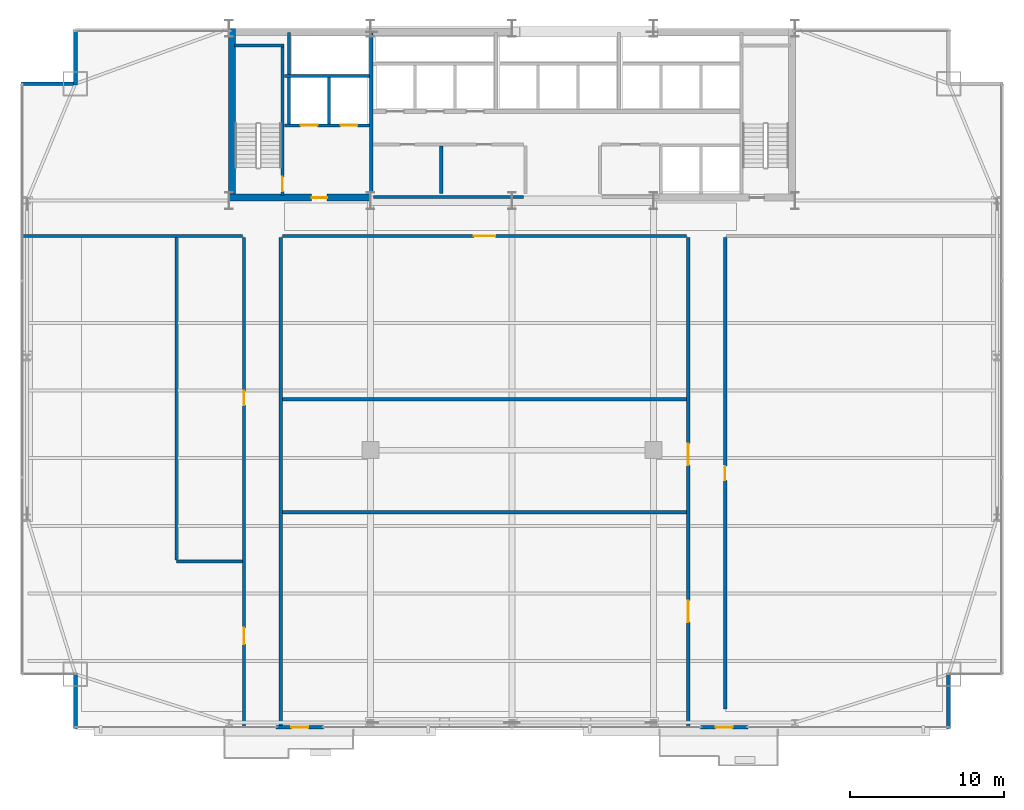
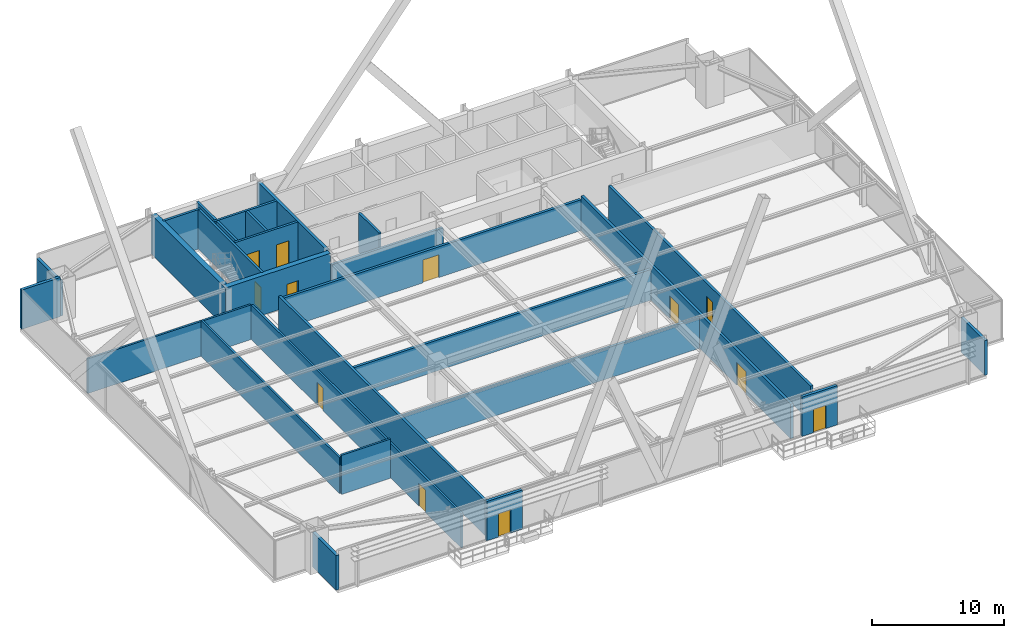
# One storey, part 28 of 32: 27 walls, 12 doors, 12 openings.
"""IFC4 building model written with IfcOpenShell, lengths in metres."""

from ifc_helpers import new_model, si_unit, direction, frame, frame_2d, origin, place, context, subcontext, project, spatial, rectangle, extrude, source, transform, mapped, material, layer, layer_set, type_object, type_shapes, element, fill, save


model = new_model("IFC4")

# Units and contexts
model_context = context("Model", 3, precision=1e-05, world=origin(), true_north=direction((0.0, 1.0)))
body_context = subcontext(model_context, "Body", "Model", "MODEL_VIEW")
ifc_project = project(units=[si_unit("LENGTHUNIT", "METRE"), si_unit("AREAUNIT", "SQUARE_METRE"), si_unit("VOLUMEUNIT", "CUBIC_METRE"), si_unit("PLANEANGLEUNIT", "RADIAN"), si_unit("MASSUNIT", "GRAM", prefix="KILO")], contexts=[model_context])

# Site, building, storey
site_placement = place(None, origin())
site = spatial("IfcSite", under=ifc_project, at=site_placement, CompositionType="ELEMENT")
building_placement = place(site_placement, origin())
building = spatial("IfcBuilding", under=site, at=building_placement, Name="Varnel Quay Broadcast Tower", CompositionType="ELEMENT")
storey_placement = place(building_placement, frame((0.0, 0.0, 58.800048828125)))
storey = spatial("IfcBuildingStorey", under=building, at=storey_placement, Name="L13", CompositionType="ELEMENT", Elevation=58.800048828125)

# Wall, opening, door
ifc_material_1 = material(Name="Concrete CSA A23.3 C50/60", Category="concrete")
ifc_layer_1 = layer(ifc_material_1, 0.199951171875, Name="Concrete CSA A23.3 C50/60")
ifc_layer_set_1 = layer_set([ifc_layer_1], Name="Concrete CSA A23.3 C50/60")
wall_type_1 = type_object("IfcWallType", Name="Wall_CoreShaftShear200", PredefinedType="SHEAR", material=ifc_layer_set_1)
wall_1_placement = place(storey_placement, frame((19.080078125, 35.949951171875, 0.0), z_axis=(0.0, 0.0, 1.0), x_axis=(0.0, 1.0, 0.0)))
wall_1 = element("IfcWall", 1, at=wall_1_placement, inside=storey, type_object=wall_type_1, Name="L13 Stair 1 East Structural Wall", PredefinedType="SHEAR", context=body_context, shape_type="SweptSolid", body=[
    extrude(rectangle(XDim=9.650146484375, YDim=0.199951171875, at=frame_2d((4.8251953125, 0.0))), origin(), (0.0, 0.0, 1.0), 3.64990234375),
])
opening_1_placement = place(wall_1_placement, frame((0.25, 0.0, 0.0)))
opening_1 = element("IfcOpeningElement", 2, at=opening_1_placement, cuts=wall_1, Name="Opening D-L13-S1", PredefinedType="OPENING", context=body_context, shape_type="SweptSolid", body=[
    extrude(rectangle(XDim=0.949951171875, YDim=2.10009765625, at=frame_2d((0.47509765625, 1.050048828125))), frame((0.0, 0.10986328125, 0.0), z_axis=(0.0, -1.0, 0.0), x_axis=(1.0, 0.0, 0.0)), (0.0, 0.0, 1.0), 0.219970703125),
])
ifc_material_2 = material(Name="Insulated Fire-Rated Hollow Steel Door", Category="steel")
door_type_1 = type_object("IfcDoorType", Name="Door_FireStair950", OperationType="NOTDEFINED", PredefinedType="DOOR", material=ifc_material_2)
shared_shape_1 = source(origin(), body_context, "Body", "SweptSolid", [
    extrude(rectangle(XDim=0.949951171875, YDim=2.10009765625, at=frame_2d((0.47509765625, 1.050048828125))), frame((0.0, 0.02490234375, 0.0), z_axis=(0.0, -1.0, 0.0), x_axis=(1.0, 0.0, 0.0)), (0.0, 0.0, 1.0), 0.050048828125),
])
type_shapes(door_type_1, [shared_shape_1])
door_1_placement = place(opening_1_placement, origin())
door_1 = element("IfcDoor", 3, at=door_1_placement, inside=storey, type_object=door_type_1, Name="L13 Stair 1 Fire Door", OperationType="SINGLE_SWING_RIGHT", OverallHeight=2.10009765625, OverallWidth=0.949951171875, PredefinedType="DOOR", context=body_context, shape_type="MappedRepresentation", body=[
    mapped(shared_shape_1, transform((0.0, 0.0, 0.0), x_axis=(1.0, 0.0, 0.0), y_axis=(0.0, 1.0, 0.0), z_axis=(0.0, 0.0, 1.0), scale=1.0)),
])
fill(opening_1, door_1)

# Wall
wall_2_placement = place(storey_placement, frame((15.949951171875, 45.679931640625, 0.0), z_axis=(0.0, 0.0, 1.0), x_axis=(1.0, 0.0, 0.0)))
element("IfcWall", 4, at=wall_2_placement, inside=storey, type_object=wall_type_1, Name="L13 Stair 1 North Structural Wall", PredefinedType="SHEAR", context=body_context, shape_type="SweptSolid", body=[
    extrude(rectangle(XDim=3.22998046875, YDim=0.199951171875, at=frame_2d((1.614990234375, 0.0))), origin(), (0.0, 0.0, 1.0), 3.64990234375),
])

# Wall, openings, doors
wall_3_placement = place(storey_placement, frame((19.199951171875, 40.5, 0.0), z_axis=(0.0, 0.0, 1.0), x_axis=(1.0, 0.0, 0.0)))
wall_3 = element("IfcWall", 5, at=wall_3_placement, inside=storey, type_object=wall_type_1, Name="L13 Firefighter Lift Shaft Front Wall", PredefinedType="SHEAR", context=body_context, shape_type="SweptSolid", body=[
    extrude(rectangle(XDim=5.52001953125, YDim=0.199951171875, at=frame_2d((2.760009765625, 0.0))), origin(), (0.0, 0.0, 1.0), 3.64990234375),
])
opening_2_placement = place(wall_3_placement, frame((1.050048828125, 0.0, 0.0)))
opening_2 = element("IfcOpeningElement", 6, at=opening_2_placement, cuts=wall_3, Name="Opening LD-L13-FE1", PredefinedType="OPENING", context=body_context, shape_type="SweptSolid", body=[
    extrude(rectangle(XDim=1.10009765625, YDim=2.179931640625, at=frame_2d((0.550048828125, 1.08984375))), frame((0.0, 0.10986328125, 0.0), z_axis=(0.0, -1.0, 0.0), x_axis=(1.0, 0.0, 0.0)), (0.0, 0.0, 1.0), 0.219970703125),
])
opening_3_placement = place(wall_3_placement, frame((3.64990234375, 0.0, 0.0)))
opening_3 = element("IfcOpeningElement", 7, at=opening_3_placement, cuts=wall_3, Name="Opening LD-L13-FE2", PredefinedType="OPENING", context=body_context, shape_type="SweptSolid", body=[
    extrude(rectangle(XDim=1.10009765625, YDim=2.179931640625, at=frame_2d((0.550048828125, 1.08984375))), frame((0.0, 0.10986328125, 0.0), z_axis=(0.0, -1.0, 0.0), x_axis=(1.0, 0.0, 0.0)), (0.0, 0.0, 1.0), 0.219970703125),
])
ifc_material_3 = material(Name="Brushed Bronze-Stainless Lift Car & Sliding Doors", Category="steel")
door_type_2 = type_object("IfcDoorType", Name="Door_LiftLanding1100", OperationType="SLIDING_TO_LEFT", PredefinedType="DOOR", material=ifc_material_3)
shared_shape_2 = source(origin(), body_context, "Body", "SweptSolid", [
    extrude(rectangle(XDim=1.10009765625, YDim=2.179931640625, at=frame_2d((0.550048828125, 1.08984375))), frame((0.0, 0.02490234375, 0.0), z_axis=(0.0, -1.0, 0.0), x_axis=(1.0, 0.0, 0.0)), (0.0, 0.0, 1.0), 0.050048828125),
])
type_shapes(door_type_2, [shared_shape_2])
door_2_placement = place(opening_2_placement, frame((1.10009765625, 0.0, 0.0), z_axis=(0.0, 0.0, 1.0), x_axis=(-1.0, 0.0, 0.0)))
door_2 = element("IfcDoor", 8, at=door_2_placement, inside=storey, type_object=door_type_2, Name="L13 Firefighter Lift FE-01 Landing Door", OperationType="SLIDING_TO_LEFT", OverallHeight=2.179931640625, OverallWidth=1.10009765625, PredefinedType="DOOR", context=body_context, shape_type="MappedRepresentation", body=[
    mapped(shared_shape_2, transform((0.0, 0.0, 0.0), x_axis=(1.0, 0.0, 0.0), y_axis=(0.0, 1.0, 0.0), z_axis=(0.0, 0.0, 1.0), scale=1.0)),
])
fill(opening_2, door_2)
door_3_placement = place(opening_3_placement, frame((1.10009765625, 0.0, 0.0), z_axis=(0.0, 0.0, 1.0), x_axis=(-1.0, 0.0, 0.0)))
door_3 = element("IfcDoor", 9, at=door_3_placement, inside=storey, type_object=door_type_2, Name="L13 Firefighter Lift FE-02 Landing Door", OperationType="SLIDING_TO_RIGHT", OverallHeight=2.179931640625, OverallWidth=1.10009765625, PredefinedType="DOOR", context=body_context, shape_type="MappedRepresentation", body=[
    mapped(shared_shape_2, transform((0.0, 0.0, 0.0), x_axis=(1.0, 0.0, 0.0), y_axis=(0.0, 1.0, 0.0), z_axis=(0.0, 0.0, 1.0), scale=1.0)),
])
fill(opening_3, door_3)

# Walls
wall_4_placement = place(storey_placement, frame((19.199951171875, 43.699951171875, 0.0), z_axis=(0.0, 0.0, 1.0), x_axis=(1.0, 0.0, 0.0)))
element("IfcWall", 10, at=wall_4_placement, inside=storey, type_object=wall_type_1, Name="L13 Firefighter Lift Shaft Rear Wall", PredefinedType="SHEAR", context=body_context, shape_type="SweptSolid", body=[
    extrude(rectangle(XDim=5.52001953125, YDim=0.199951171875, at=frame_2d((2.760009765625, 0.0))), origin(), (0.0, 0.0, 1.0), 3.64990234375),
])
wall_5_placement = place(storey_placement, frame((22.10009765625, 40.60009765625, 0.0), z_axis=(0.0, 0.0, 1.0), x_axis=(0.0, 1.0, 0.0)))
element("IfcWall", 11, at=wall_5_placement, inside=storey, type_object=wall_type_1, Name="L13 Firefighter Lift Shaft Divider", PredefinedType="SHEAR", context=body_context, shape_type="SweptSolid", body=[
    extrude(rectangle(XDim=3.0, YDim=0.199951171875, at=frame_2d((1.5, 0.0))), origin(), (0.0, 0.0, 1.0), 3.64990234375),
])
wall_6_placement = place(storey_placement, frame((19.5, 40.60009765625, 0.0), z_axis=(0.0, 0.0, 1.0), x_axis=(0.0, 1.0, 0.0)))
element("IfcWall", 12, at=wall_6_placement, inside=storey, type_object=wall_type_1, Name="L13 Firefighter Lift Shaft West Wall", PredefinedType="SHEAR", context=body_context, shape_type="SweptSolid", body=[
    extrude(rectangle(XDim=5.949951171875, YDim=0.199951171875, at=frame_2d((2.97509765625, 0.0))), origin(), (0.0, 0.0, 1.0), 3.64990234375),
])
ifc_layer_2 = layer(ifc_material_1, 0.25, Name="Concrete CSA A23.3 C50/60")
ifc_layer_set_2 = layer_set([ifc_layer_2], Name="Concrete CSA A23.3 C50/60")
wall_type_2 = type_object("IfcWallType", Name="Wall_CoreShaftShear250", PredefinedType="SHEAR", material=ifc_layer_set_2)
wall_7_placement = place(storey_placement, frame((24.85009765625, 36.050048828125, 0.0), z_axis=(0.0, 0.0, 1.0), x_axis=(0.0, 1.0, 0.0)))
element("IfcWall", 13, at=wall_7_placement, inside=storey, type_object=wall_type_2, Name="L13 Firefighting Lobby East Structural Wall", PredefinedType="SHEAR", context=body_context, shape_type="SweptSolid", body=[
    extrude(rectangle(XDim=10.449951171875, YDim=0.25, at=frame_2d((5.22509765625, 0.0))), origin(), (0.0, 0.0, 1.0), 3.64990234375),
])
ifc_material_4 = material(Name="Concrete CSA A23.3 C60/75", Category="concrete")
ifc_layer_3 = layer(ifc_material_4, 0.449951171875, Name="Concrete CSA A23.3 C60/75")
ifc_layer_set_3 = layer_set([ifc_layer_3], Name="Concrete CSA A23.3 C60/75")
wall_type_3 = type_object("IfcWallType", Name="Wall_CoreShearInt450", PredefinedType="SHEAR", material=ifc_layer_set_3)
wall_8_placement = place(storey_placement, frame((15.794921875, 35.570068359375, 0.0), z_axis=(0.0, 0.0, 1.0), x_axis=(0.0, 1.0, 0.0)))
element("IfcWall", 14, at=wall_8_placement, inside=storey, type_object=wall_type_3, Name="L13 West Core Shear Wall", PredefinedType="SHEAR", context=body_context, shape_type="SweptSolid", body=[
    extrude(rectangle(XDim=11.22998046875, YDim=0.449951171875, at=frame_2d((5.614990234375, 0.0))), origin(), (0.0, 0.0, 1.0), 3.64990234375),
])

# Wall, opening, door
wall_9_placement = place(storey_placement, frame((15.570068359375, 35.794921875, 0.0), z_axis=(0.0, 0.0, 1.0), x_axis=(1.0, 0.0, 0.0)))
wall_9 = element("IfcWall", 15, at=wall_9_placement, inside=storey, type_object=wall_type_3, Name="L13 South-West Core Shear Wall", PredefinedType="SHEAR", context=body_context, shape_type="SweptSolid", body=[
    extrude(rectangle(XDim=9.22998046875, YDim=0.449951171875, at=frame_2d((4.614990234375, 0.0))), origin(), (0.0, 0.0, 1.0), 3.64990234375),
])
opening_4_placement = place(wall_9_placement, frame((5.39990234375, 0.0, 0.0)))
opening_4 = element("IfcOpeningElement", 16, at=opening_4_placement, cuts=wall_9, Name="Opening D-L13-FFL", PredefinedType="OPENING", context=body_context, shape_type="SweptSolid", body=[
    extrude(rectangle(XDim=1.0, YDim=2.10009765625, at=frame_2d((0.5, 1.050048828125))), frame((0.0, 0.23486328125, 0.0), z_axis=(0.0, -1.0, 0.0), x_axis=(1.0, 0.0, 0.0)), (0.0, 0.0, 1.0), 0.469970703125),
])
door_type_3 = type_object("IfcDoorType", Name="Door_FireLobby1000", OperationType="NOTDEFINED", PredefinedType="DOOR", material=ifc_material_2)
shared_shape_3 = source(origin(), body_context, "Body", "SweptSolid", [
    extrude(rectangle(XDim=1.0, YDim=2.10009765625, at=frame_2d((0.5, 1.050048828125))), frame((0.0, 0.02490234375, 0.0), z_axis=(0.0, -1.0, 0.0), x_axis=(1.0, 0.0, 0.0)), (0.0, 0.0, 1.0), 0.050048828125),
])
type_shapes(door_type_3, [shared_shape_3])
door_4_placement = place(opening_4_placement, origin())
door_4 = element("IfcDoor", 17, at=door_4_placement, inside=storey, type_object=door_type_3, Name="L13 Firefighting Lobby Door", OperationType="SINGLE_SWING_LEFT", OverallHeight=2.10009765625, OverallWidth=1.0, PredefinedType="DOOR", context=body_context, shape_type="MappedRepresentation", body=[
    mapped(shared_shape_3, transform((0.0, 0.0, 0.0), x_axis=(1.0, 0.0, 0.0), y_axis=(0.0, 1.0, 0.0), z_axis=(0.0, 0.0, 1.0), scale=1.0)),
])
fill(opening_4, door_4)

ifc_material_5 = material(Name="Precast Architectural Concrete C40/50", Category="concrete")
ifc_layer_4 = layer(ifc_material_5, 0.25, Name="Precast Architectural Concrete C40/50")
ifc_layer_set_4 = layer_set([ifc_layer_4], Name="Precast Architectural Concrete C40/50")
wall_type_4 = type_object("IfcWallType", Name="Wall_ExtTerrace250", PredefinedType="SOLIDWALL", material=ifc_layer_set_4)
wall_10_placement = place(storey_placement, frame((18.64990234375, 1.35009765625, 0.0), z_axis=(0.0, 0.0, 1.0), x_axis=(1.0, 0.0, 0.0)))
wall_10 = element("IfcWall", 18, at=wall_10_placement, inside=storey, type_object=wall_type_4, Name="L13 Terrace Access Wall 1", PredefinedType="SOLIDWALL", context=body_context, shape_type="SweptSolid", body=[
    extrude(rectangle(XDim=3.10009765625, YDim=0.25, at=frame_2d((1.550048828125, 0.0))), origin(), (0.0, 0.0, 1.0), 3.6298828125),
])
opening_5_placement = place(wall_10_placement, frame((1.0, 0.0, 0.0)))
opening_5 = element("IfcOpeningElement", 19, at=opening_5_placement, cuts=wall_10, Name="Opening TD-131", PredefinedType="OPENING", context=body_context, shape_type="SweptSolid", body=[
    extrude(rectangle(XDim=1.10009765625, YDim=2.14990234375, at=frame_2d((0.550048828125, 1.074951171875))), frame((0.0, 0.135009765625, 0.0), z_axis=(0.0, -1.0, 0.0), x_axis=(1.0, 0.0, 0.0)), (0.0, 0.0, 1.0), 0.27001953125),
])
ifc_material_6 = material(Name="Anodised Bronze Aluminium 6063-T6", Category="aluminium")
door_type_4 = type_object("IfcDoorType", Name="Door_ExtTerrace1100", OperationType="NOTDEFINED", PredefinedType="DOOR", material=ifc_material_6)
shared_shape_4 = source(origin(), body_context, "Body", "SweptSolid", [
    extrude(rectangle(XDim=1.10009765625, YDim=2.14990234375, at=frame_2d((0.550048828125, 1.074951171875))), frame((0.0, 0.02490234375, 0.0), z_axis=(0.0, -1.0, 0.0), x_axis=(1.0, 0.0, 0.0)), (0.0, 0.0, 1.0), 0.050048828125),
])
type_shapes(door_type_4, [shared_shape_4])
door_5_placement = place(opening_5_placement, frame((1.10009765625, 0.0, 0.0), z_axis=(0.0, 0.0, 1.0), x_axis=(-1.0, 0.0, 0.0)))
door_5 = element("IfcDoor", 20, at=door_5_placement, inside=storey, type_object=door_type_4, Name="L13 Terrace Door TD-131", OperationType="SINGLE_SWING_LEFT", OverallHeight=2.14990234375, OverallWidth=1.10009765625, PredefinedType="DOOR", context=body_context, shape_type="MappedRepresentation", body=[
    mapped(shared_shape_4, transform((0.0, 0.0, 0.0), x_axis=(1.0, 0.0, 0.0), y_axis=(0.0, 1.0, 0.0), z_axis=(0.0, 0.0, 1.0), scale=1.0)),
])
fill(opening_5, door_5)

wall_11_placement = place(storey_placement, frame((46.25, 1.35009765625, 0.0), z_axis=(0.0, 0.0, 1.0), x_axis=(1.0, 0.0, 0.0)))
wall_11 = element("IfcWall", 21, at=wall_11_placement, inside=storey, type_object=wall_type_4, Name="L13 Terrace Access Wall 2", PredefinedType="SOLIDWALL", context=body_context, shape_type="SweptSolid", body=[
    extrude(rectangle(XDim=3.10009765625, YDim=0.25, at=frame_2d((1.550048828125, 0.0))), origin(), (0.0, 0.0, 1.0), 3.6298828125),
])
opening_6_placement = place(wall_11_placement, frame((1.0, 0.0, 0.0)))
opening_6 = element("IfcOpeningElement", 22, at=opening_6_placement, cuts=wall_11, Name="Opening TD-132", PredefinedType="OPENING", context=body_context, shape_type="SweptSolid", body=[
    extrude(rectangle(XDim=1.10009765625, YDim=2.14990234375, at=frame_2d((0.550048828125, 1.074951171875))), frame((0.0, 0.135009765625, 0.0), z_axis=(0.0, -1.0, 0.0), x_axis=(1.0, 0.0, 0.0)), (0.0, 0.0, 1.0), 0.27001953125),
])
door_6_placement = place(opening_6_placement, frame((1.10009765625, 0.0, 0.0), z_axis=(0.0, 0.0, 1.0), x_axis=(-1.0, 0.0, 0.0)))
door_6 = element("IfcDoor", 23, at=door_6_placement, inside=storey, type_object=door_type_4, Name="L13 Terrace Door TD-132", OperationType="SINGLE_SWING_RIGHT", OverallHeight=2.14990234375, OverallWidth=1.10009765625, PredefinedType="DOOR", context=body_context, shape_type="MappedRepresentation", body=[
    mapped(shared_shape_4, transform((0.0, 0.0, 0.0), x_axis=(1.0, 0.0, 0.0), y_axis=(0.0, 1.0, 0.0), z_axis=(0.0, 0.0, 1.0), scale=1.0)),
])
fill(opening_6, door_6)

# Walls
for number, where, z_axis, x_axis, name in (
    (24, (5.60009765625, 1.280029296875, 0.0), (0.0, 0.0, 1.0), (0.0, 1.0, 0.0), "L13 Mega-Column Notch Cladding Wall NSW2"),
    (25, (62.39990234375, 1.280029296875, 0.0), (0.0, 0.0, 1.0), (0.0, 1.0, 0.0), "L13 Mega-Column Notch Cladding Wall NSE2"),
):
    element("IfcWall", number, at=place(storey_placement, frame(where, z_axis=z_axis, x_axis=x_axis)), inside=storey, type_object=wall_type_4, Name=name, PredefinedType="SOLIDWALL", context=body_context, shape_type="SweptSolid", body=[
        extrude(rectangle(XDim=3.599853515625, YDim=0.25, at=frame_2d((1.7998046875, 0.0))), origin(), (0.0, 0.0, 1.0), 3.2080078125),
    ])
wall_12_placement = place(storey_placement, frame((2.080078125, 43.199951171875, 0.0), z_axis=(0.0, 0.0, 1.0), x_axis=(1.0, 0.0, 0.0)))
element("IfcWall", 26, at=wall_12_placement, inside=storey, type_object=wall_type_4, Name="L13 Mega-Column Notch Cladding Wall NNW1", PredefinedType="SOLIDWALL", context=body_context, shape_type="SweptSolid", body=[
    extrude(rectangle(XDim=3.389892578125, YDim=0.25, at=frame_2d((1.69482421875, 0.0))), origin(), (0.0, 0.0, 1.0), 3.6298828125),
])
wall_13_placement = place(storey_placement, frame((5.60009765625, 43.1201171875, 0.0), z_axis=(0.0, 0.0, 1.0), x_axis=(0.0, 1.0, 0.0)))
element("IfcWall", 27, at=wall_13_placement, inside=storey, type_object=wall_type_4, Name="L13 Mega-Column Notch Cladding Wall NNW2", PredefinedType="SOLIDWALL", context=body_context, shape_type="SweptSolid", body=[
    extrude(rectangle(XDim=3.599853515625, YDim=0.25, at=frame_2d((1.7998046875, 0.0))), origin(), (0.0, 0.0, 1.0), 3.2080078125),
])

# Wall, openings, doors
ifc_material_7 = material(Name="Steel-Stud Fire-Rated Acoustic Gypsum Partition Assembly", Category="steel")
ifc_layer_5 = layer(ifc_material_7, 0.175048828125, Name="Steel-Stud Fire-Rated Acoustic Gypsum Partition Assembly")
ifc_layer_set_5 = layer_set([ifc_layer_5], Name="Steel-Stud Fire-Rated Acoustic Gypsum Partition Assembly")
wall_type_5 = type_object("IfcWallType", Name="Wall_Partition175", PredefinedType="PARTITIONING", material=ifc_layer_set_5)
wall_14_placement = place(storey_placement, frame((16.570068359375, 1.3798828125, 0.0), z_axis=(0.0, 0.0, 1.0), x_axis=(0.0, 1.0, 0.0)))
wall_14 = element("IfcWall", 28, at=wall_14_placement, inside=storey, type_object=wall_type_5, Name="L13 Broadcast Seminar Room 1 Partition 8", PredefinedType="PARTITIONING", context=body_context, shape_type="SweptSolid", body=[
    extrude(rectangle(XDim=31.83203125, YDim=0.175048828125, at=frame_2d((15.916015625, 0.0))), origin(), (0.0, 0.0, 1.0), 3.2080078125),
])
opening_7_placement = place(wall_14_placement, frame((5.3798828125, 0.0, 0.0)))
opening_7 = element("IfcOpeningElement", 29, at=opening_7_placement, cuts=wall_14, Name="Opening D-L13-04", PredefinedType="OPENING", context=body_context, shape_type="SweptSolid", body=[
    extrude(rectangle(XDim=1.050048828125, YDim=2.10009765625, at=frame_2d((0.52490234375, 1.050048828125))), frame((0.0, 0.09765625, 0.0), z_axis=(0.0, -1.0, 0.0), x_axis=(1.0, 0.0, 0.0)), (0.0, 0.0, 1.0), 0.195068359375),
])
opening_8_placement = place(wall_14_placement, frame((20.925048828125, 0.0, 0.0)))
opening_8 = element("IfcOpeningElement", 30, at=opening_8_placement, cuts=wall_14, Name="Opening D-L13-05", PredefinedType="OPENING", context=body_context, shape_type="SweptSolid", body=[
    extrude(rectangle(XDim=0.919921875, YDim=2.080078125, at=frame_2d((0.4599609375, 1.0400390625))), frame((0.0, 0.09765625, 0.0), z_axis=(0.0, -1.0, 0.0), x_axis=(1.0, 0.0, 0.0)), (0.0, 0.0, 1.0), 0.195068359375),
])
ifc_material_8 = material(Name="Solid-Core Fire-Rated Acoustic Oak Veneer Door", Category="wood")
door_type_5 = type_object("IfcDoorType", Name="Door_Office920", OperationType="NOTDEFINED", PredefinedType="DOOR", material=ifc_material_8)
shared_shape_5 = source(origin(), body_context, "Body", "SweptSolid", [
    extrude(rectangle(XDim=0.919921875, YDim=2.080078125, at=frame_2d((0.4599609375, 1.0400390625))), frame((0.0, 0.02490234375, 0.0), z_axis=(0.0, -1.0, 0.0), x_axis=(1.0, 0.0, 0.0)), (0.0, 0.0, 1.0), 0.050048828125),
])
type_shapes(door_type_5, [shared_shape_5])
door_7_placement = place(opening_8_placement, origin())
door_7 = element("IfcDoor", 31, at=door_7_placement, inside=storey, type_object=door_type_5, Name="L13 Audio Control Room 2 Door D-L13-05", OperationType="SINGLE_SWING_LEFT", OverallHeight=2.080078125, OverallWidth=0.919921875, PredefinedType="DOOR", context=body_context, shape_type="MappedRepresentation", body=[
    mapped(shared_shape_5, transform((0.0, 0.0, 0.0), x_axis=(1.0, 0.0, 0.0), y_axis=(0.0, 1.0, 0.0), z_axis=(0.0, 0.0, 1.0), scale=1.0)),
])
fill(opening_8, door_7)
door_type_6 = type_object("IfcDoorType", Name="Door_Meeting1050", OperationType="NOTDEFINED", PredefinedType="DOOR", material=ifc_material_8)
shared_shape_6 = source(origin(), body_context, "Body", "SweptSolid", [
    extrude(rectangle(XDim=1.050048828125, YDim=2.10009765625, at=frame_2d((0.52490234375, 1.050048828125))), frame((0.0, 0.02490234375, 0.0), z_axis=(0.0, -1.0, 0.0), x_axis=(1.0, 0.0, 0.0)), (0.0, 0.0, 1.0), 0.050048828125),
])
type_shapes(door_type_6, [shared_shape_6])
door_8_placement = place(opening_7_placement, origin())
door_8 = element("IfcDoor", 32, at=door_8_placement, inside=storey, type_object=door_type_6, Name="L13 Broadcast Seminar Room 1 Door D-L13-04", OperationType="SINGLE_SWING_RIGHT", OverallHeight=2.10009765625, OverallWidth=1.050048828125, PredefinedType="DOOR", context=body_context, shape_type="MappedRepresentation", body=[
    mapped(shared_shape_6, transform((0.0, 0.0, 0.0), x_axis=(1.0, 0.0, 0.0), y_axis=(0.0, 1.0, 0.0), z_axis=(0.0, 0.0, 1.0), scale=1.0)),
])
fill(opening_7, door_8)

# Walls
wall_15_placement = place(storey_placement, frame((12.169921875, 12.1298828125, 0.0), z_axis=(0.0, 0.0, 1.0), x_axis=(1.0, 0.0, 0.0)))
element("IfcWall", 33, at=wall_15_placement, inside=storey, type_object=wall_type_5, Name="L13 Broadcast Seminar Room 1 Partition 9", PredefinedType="PARTITIONING", context=body_context, shape_type="SweptSolid", body=[
    extrude(rectangle(XDim=4.300048828125, YDim=0.175048828125, at=frame_2d((2.14990234375, 0.0))), origin(), (0.0, 0.0, 1.0), 3.6298828125),
])
wall_16_placement = place(storey_placement, frame((12.169921875, 12.218017578125, 0.0), z_axis=(0.0, 0.0, 1.0), x_axis=(0.0, 1.0, 0.0)))
element("IfcWall", 34, at=wall_16_placement, inside=storey, type_object=wall_type_5, Name="L13 Broadcast Seminar Room 1 Partition 10", PredefinedType="PARTITIONING", context=body_context, shape_type="SweptSolid", body=[
    extrude(rectangle(XDim=20.993896484375, YDim=0.175048828125, at=frame_2d((10.4970703125, 0.0))), origin(), (0.0, 0.0, 1.0), 3.322021484375),
])
wall_17_placement = place(storey_placement, frame((2.179931640625, 33.300048828125, 0.0), z_axis=(0.0, 0.0, 1.0), x_axis=(1.0, 0.0, 0.0)))
element("IfcWall", 35, at=wall_17_placement, inside=storey, type_object=wall_type_5, Name="L13 Broadcast Seminar Room 1 Partition 11", PredefinedType="PARTITIONING", context=body_context, shape_type="SweptSolid", body=[
    extrude(rectangle(XDim=14.2900390625, YDim=0.175048828125, at=frame_2d((7.14501953125, 0.0))), origin(), (0.0, 0.0, 1.0), 3.2080078125),
])

# Wall, openings, doors
ifc_layer_6 = layer(ifc_material_7, 0.22509765625, Name="Steel-Stud Fire-Rated Acoustic Gypsum Partition Assembly")
ifc_layer_set_6 = layer_set([ifc_layer_6], Name="Steel-Stud Fire-Rated Acoustic Gypsum Partition Assembly")
wall_type_6 = type_object("IfcWallType", Name="Wall_Partition225", PredefinedType="PARTITIONING", material=ifc_layer_set_6)
wall_18_placement = place(storey_placement, frame((45.4599609375, 1.3798828125, 0.0), z_axis=(0.0, 0.0, 1.0), x_axis=(0.0, 1.0, 0.0)))
wall_18 = element("IfcWall", 36, at=wall_18_placement, inside=storey, type_object=wall_type_6, Name="L13 Podcast Recording Studio 3 Partition 12", PredefinedType="PARTITIONING", context=body_context, shape_type="SweptSolid", body=[
    extrude(rectangle(XDim=31.80810546875, YDim=0.22509765625, at=frame_2d((15.904052734375, 0.0))), origin(), (0.0, 0.0, 1.0), 3.2080078125),
])
opening_9_placement = place(wall_18_placement, frame((6.800048828125, 0.0, 0.0)))
opening_9 = element("IfcOpeningElement", 37, at=opening_9_placement, cuts=wall_18, Name="Opening D-L13-06", PredefinedType="OPENING", context=body_context, shape_type="SweptSolid", body=[
    extrude(rectangle(XDim=1.39990234375, YDim=2.1201171875, at=frame_2d((0.699951171875, 1.06005859375))), frame((0.0, 0.12255859375, 0.0), z_axis=(0.0, -1.0, 0.0), x_axis=(1.0, 0.0, 0.0)), (0.0, 0.0, 1.0), 0.2451171875),
])
opening_10_placement = place(wall_18_placement, frame((17.014892578125, 0.0, 0.0)))
opening_10 = element("IfcOpeningElement", 38, at=opening_10_placement, cuts=wall_18, Name="Opening D-L13-07", PredefinedType="OPENING", context=body_context, shape_type="SweptSolid", body=[
    extrude(rectangle(XDim=1.39990234375, YDim=2.1201171875, at=frame_2d((0.699951171875, 1.06005859375))), frame((0.0, 0.12255859375, 0.0), z_axis=(0.0, -1.0, 0.0), x_axis=(1.0, 0.0, 0.0)), (0.0, 0.0, 1.0), 0.2451171875),
])
door_type_7 = type_object("IfcDoorType", Name="Door_Gallery1400", OperationType="DOUBLE_DOOR_SINGLE_SWING", PredefinedType="DOOR", material=ifc_material_8)
shared_shape_7 = source(origin(), body_context, "Body", "SweptSolid", [
    extrude(rectangle(XDim=1.39990234375, YDim=2.1201171875, at=frame_2d((0.699951171875, 1.06005859375))), frame((0.0, 0.02490234375, 0.0), z_axis=(0.0, -1.0, 0.0), x_axis=(1.0, 0.0, 0.0)), (0.0, 0.0, 1.0), 0.050048828125),
])
type_shapes(door_type_7, [shared_shape_7])
door_9_placement = place(opening_9_placement, origin())
door_9 = element("IfcDoor", 39, at=door_9_placement, inside=storey, type_object=door_type_7, Name="L13 Podcast Recording Studio 3 Door D-L13-06", OperationType="DOUBLE_DOOR_SINGLE_SWING", OverallHeight=2.1201171875, OverallWidth=1.39990234375, PredefinedType="DOOR", context=body_context, shape_type="MappedRepresentation", body=[
    mapped(shared_shape_7, transform((0.0, 0.0, 0.0), x_axis=(1.0, 0.0, 0.0), y_axis=(0.0, 1.0, 0.0), z_axis=(0.0, 0.0, 1.0), scale=1.0)),
])
fill(opening_9, door_9)
door_10_placement = place(opening_10_placement, origin())
door_10 = element("IfcDoor", 40, at=door_10_placement, inside=storey, type_object=door_type_7, Name="L13 Foley Sound Studio 4 Door D-L13-07", OperationType="DOUBLE_DOOR_SINGLE_SWING", OverallHeight=2.1201171875, OverallWidth=1.39990234375, PredefinedType="DOOR", context=body_context, shape_type="MappedRepresentation", body=[
    mapped(shared_shape_7, transform((0.0, 0.0, 0.0), x_axis=(1.0, 0.0, 0.0), y_axis=(0.0, 1.0, 0.0), z_axis=(0.0, 0.0, 1.0), scale=1.0)),
])
fill(opening_10, door_10)

# Walls
wall_19_placement = place(storey_placement, frame((19.070068359375, 15.320068359375, 0.0), z_axis=(0.0, 0.0, 1.0), x_axis=(1.0, 0.0, 0.0)))
element("IfcWall", 41, at=wall_19_placement, inside=storey, type_object=wall_type_6, Name="L13 Podcast Recording Studio 3 Partition 13", PredefinedType="PARTITIONING", context=body_context, shape_type="SweptSolid", body=[
    extrude(rectangle(XDim=26.2900390625, YDim=0.22509765625, at=frame_2d((13.14501953125, 0.0))), origin(), (0.0, 0.0, 1.0), 2.85205078125),
])
wall_20_placement = place(storey_placement, frame((18.969970703125, 1.3798828125, 0.0), z_axis=(0.0, 0.0, 1.0), x_axis=(0.0, 1.0, 0.0)))
element("IfcWall", 42, at=wall_20_placement, inside=storey, type_object=wall_type_6, Name="L13 Podcast Recording Studio 3 Partition 14", PredefinedType="PARTITIONING", context=body_context, shape_type="SweptSolid", body=[
    extrude(rectangle(XDim=31.80810546875, YDim=0.22509765625, at=frame_2d((15.904052734375, 0.0))), origin(), (0.0, 0.0, 1.0), 3.2080078125),
])
wall_21_placement = place(storey_placement, frame((19.070068359375, 22.669921875, 0.0), z_axis=(0.0, 0.0, 1.0), x_axis=(1.0, 0.0, 0.0)))
element("IfcWall", 43, at=wall_21_placement, inside=storey, type_object=wall_type_6, Name="L13 Foley Sound Studio 4 Partition 15", PredefinedType="PARTITIONING", context=body_context, shape_type="SweptSolid", body=[
    extrude(rectangle(XDim=26.2900390625, YDim=0.22509765625, at=frame_2d((13.14501953125, 0.0))), origin(), (0.0, 0.0, 1.0), 2.85205078125),
])

# Wall, opening, door
wall_22_placement = place(storey_placement, frame((19.070068359375, 33.300048828125, 0.0), z_axis=(0.0, 0.0, 1.0), x_axis=(1.0, 0.0, 0.0)))
wall_22 = element("IfcWall", 44, at=wall_22_placement, inside=storey, type_object=wall_type_6, Name="L13 Voice Booth 5 Partition 16", PredefinedType="PARTITIONING", context=body_context, shape_type="SweptSolid", body=[
    extrude(rectangle(XDim=26.2900390625, YDim=0.22509765625, at=frame_2d((13.14501953125, 0.0))), origin(), (0.0, 0.0, 1.0), 2.85205078125),
])
opening_11_placement = place(wall_22_placement, frame((12.445068359375, 0.0, 0.0)))
opening_11 = element("IfcOpeningElement", 45, at=opening_11_placement, cuts=wall_22, Name="Opening D-L13-08", PredefinedType="OPENING", context=body_context, shape_type="SweptSolid", body=[
    extrude(rectangle(XDim=1.39990234375, YDim=2.1201171875, at=frame_2d((0.699951171875, 1.06005859375))), frame((0.0, 0.12255859375, 0.0), z_axis=(0.0, -1.0, 0.0), x_axis=(1.0, 0.0, 0.0)), (0.0, 0.0, 1.0), 0.2451171875),
])
door_11_placement = place(opening_11_placement, frame((1.39990234375, 0.0, 0.0), z_axis=(0.0, 0.0, 1.0), x_axis=(-1.0, 0.0, 0.0)))
door_11 = element("IfcDoor", 46, at=door_11_placement, inside=storey, type_object=door_type_7, Name="L13 Voice Booth 5 Door D-L13-08", OperationType="DOUBLE_DOOR_SINGLE_SWING", OverallHeight=2.1201171875, OverallWidth=1.39990234375, PredefinedType="DOOR", context=body_context, shape_type="MappedRepresentation", body=[
    mapped(shared_shape_7, transform((0.0, 0.0, 0.0), x_axis=(1.0, 0.0, 0.0), y_axis=(0.0, 1.0, 0.0), z_axis=(0.0, 0.0, 1.0), scale=1.0)),
])
fill(opening_11, door_11)

wall_23_placement = place(storey_placement, frame((47.860107421875, 2.550048828125, 0.0), z_axis=(0.0, 0.0, 1.0), x_axis=(0.0, 1.0, 0.0)))
wall_23 = element("IfcWall", 47, at=wall_23_placement, inside=storey, type_object=wall_type_6, Name="L13 Audio Control Room 6 Partition 18", PredefinedType="PARTITIONING", context=body_context, shape_type="SweptSolid", body=[
    extrude(rectangle(XDim=30.637939453125, YDim=0.22509765625, at=frame_2d((15.31884765625, 0.0))), origin(), (0.0, 0.0, 1.0), 3.322021484375),
])
opening_12_placement = place(wall_23_placement, frame((14.85888671875, 0.0, 0.0)))
opening_12 = element("IfcOpeningElement", 48, at=opening_12_placement, cuts=wall_23, Name="Opening D-L13-09", PredefinedType="OPENING", context=body_context, shape_type="SweptSolid", body=[
    extrude(rectangle(XDim=0.919921875, YDim=2.080078125, at=frame_2d((0.4599609375, 1.0400390625))), frame((0.0, 0.12255859375, 0.0), z_axis=(0.0, -1.0, 0.0), x_axis=(1.0, 0.0, 0.0)), (0.0, 0.0, 1.0), 0.2451171875),
])
door_12_placement = place(opening_12_placement, frame((0.919921875, 0.0, 0.0), z_axis=(0.0, 0.0, 1.0), x_axis=(-1.0, 0.0, 0.0)))
door_12 = element("IfcDoor", 49, at=door_12_placement, inside=storey, type_object=door_type_5, Name="L13 Audio Control Room 6 Door D-L13-09", OperationType="SINGLE_SWING_RIGHT", OverallHeight=2.080078125, OverallWidth=0.919921875, PredefinedType="DOOR", context=body_context, shape_type="MappedRepresentation", body=[
    mapped(shared_shape_5, transform((0.0, 0.0, 0.0), x_axis=(1.0, 0.0, 0.0), y_axis=(0.0, 1.0, 0.0), z_axis=(0.0, 0.0, 1.0), scale=1.0)),
])
fill(opening_12, door_12)

# Walls
ifc_material_9 = material(Name="Fire-Rated Moisture-Resistant Plumbing Chase Partition")
ifc_layer_7 = layer(ifc_material_9, 0.199951171875, Name="Fire-Rated Moisture-Resistant Plumbing Chase Partition")
ifc_layer_set_7 = layer_set([ifc_layer_7], Name="Fire-Rated Moisture-Resistant Plumbing Chase Partition")
wall_type_7 = type_object("IfcWallType", Name="Wall_Plumbing200", PredefinedType="PLUMBINGWALL", material=ifc_layer_set_7)
wall_24_placement = place(storey_placement, frame((25.0, 35.824951171875, 0.0), z_axis=(0.0, 0.0, 1.0), x_axis=(1.0, 0.0, 0.0)))
element("IfcWall", 50, at=wall_24_placement, inside=storey, type_object=wall_type_7, Name="L13 Accessible Washroom Partition 1", PredefinedType="PLUMBINGWALL", context=body_context, shape_type="SweptSolid", body=[
    extrude(rectangle(XDim=9.75, YDim=0.199951171875, at=frame_2d((4.875, 0.0))), origin(), (0.0, 0.0, 1.0), 2.425048828125),
])
wall_25_placement = place(storey_placement, frame((29.39990234375, 36.050048828125, 0.0), z_axis=(0.0, 0.0, 1.0), x_axis=(0.0, 1.0, 0.0)))
element("IfcWall", 51, at=wall_25_placement, inside=storey, type_object=wall_type_7, Name="L13 Accessible Washroom Partition 2", PredefinedType="PLUMBINGWALL", context=body_context, shape_type="SweptSolid", body=[
    extrude(rectangle(XDim=3.099853515625, YDim=0.199951171875, at=frame_2d((1.5498046875, 0.0))), origin(), (0.0, 0.0, 1.0), 3.6298828125),
])

save(model, "model.ifc")
